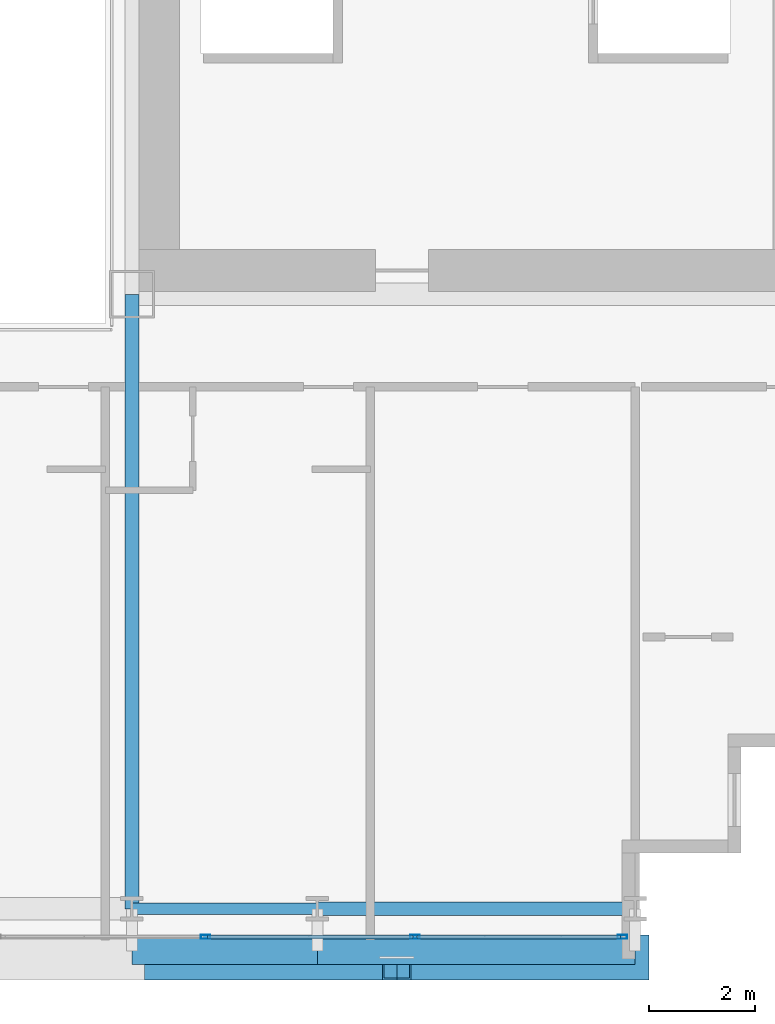
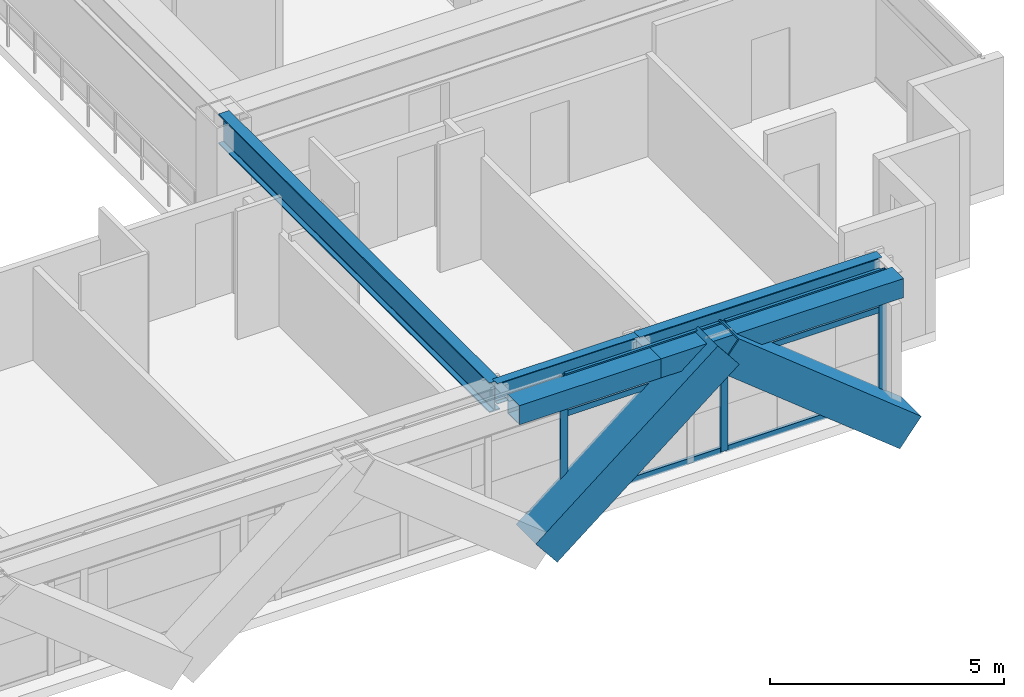
# One storey, part 10 of 35: 11 members, 5 beams, 1 element without a shape of its own.
"""IFC4 building model written with IfcOpenShell, lengths in metres."""

from ifc_helpers import new_model, si_unit, direction, frame, origin, origin_2d, place, context, subcontext, project, spatial, hollow_rectangle, i_section, extrude, source, transform, mapped, material, layer, layer_set, material_profile, profile_set, type_object, element, aggregate, save


model = new_model("IFC4")

# Units and contexts
model_context = context("Model", 3, precision=1e-05, world=origin(), true_north=direction((0.0, 1.0)))
body_context = subcontext(model_context, "Body", "Model", "MODEL_VIEW")
ifc_project = project(units=[si_unit("LENGTHUNIT", "METRE"), si_unit("AREAUNIT", "SQUARE_METRE"), si_unit("VOLUMEUNIT", "CUBIC_METRE"), si_unit("PLANEANGLEUNIT", "RADIAN"), si_unit("MASSUNIT", "GRAM", prefix="KILO")], contexts=[model_context])

# Site, building, storey
site_placement = place(None, origin())
site = spatial("IfcSite", under=ifc_project, at=site_placement, CompositionType="ELEMENT")
building_placement = place(site_placement, origin())
building = spatial("IfcBuilding", under=site, at=building_placement, Name="Ocotamira Hotel", CompositionType="ELEMENT")
storey_placement = place(building_placement, frame((0.0, 0.0, 70.800048828125)))
storey = spatial("IfcBuildingStorey", under=building, at=storey_placement, Name="L17", CompositionType="ELEMENT", Elevation=70.800048828125)

# Beams
ifc_material_1 = material(Name="Steel ASTM A992 Grade 50", Category="steel")
ifc_material_profile_1 = material_profile(ifc_material_1, i_section(OverallWidth=0.256103515625, OverallDepth=0.693115234375, WebThickness=0.014404296875, FlangeThickness=0.023681640625, FilletRadius=0.01611328125, at=origin_2d()), Name="W27X114")
ifc_profile_set_1 = profile_set([ifc_material_profile_1], Name="Steel ASTM A992 Grade 50")
beam_type_1 = type_object("IfcBeamType", Name="BM-PRIM-W27X114", PredefinedType="BEAM", material=ifc_profile_set_1)
shared_shape_1 = source(origin(), body_context, "Body", "SweptSolid", [
    extrude(i_section(OverallWidth=0.256103515625, OverallDepth=0.693115234375, WebThickness=0.014404296875, FlangeThickness=0.023681640625, FilletRadius=0.01611328125, at=origin_2d()), origin(), (0.0, 0.0, 1.0), 6.0),
])
beam_1_placement = place(storey_placement, frame((44.0, 2.949951171875, 3.00341796875), z_axis=(1.0, 0.0, 0.0), x_axis=(0.0, 1.0, 0.0)))
element("IfcBeam", 1, at=beam_1_placement, inside=storey, type_object=beam_type_1, Name="L17 Girder Y2.95 X44-50", PredefinedType="BEAM", context=body_context, shape_type="MappedRepresentation", body=[
    mapped(shared_shape_1, transform((0.0, 0.0, 0.0), scale=1.0)),
])
ifc_material_profile_2 = material_profile(ifc_material_1, i_section(OverallWidth=0.2099609375, OverallDepth=0.537109375, WebThickness=0.010986328125, FlangeThickness=0.017333984375, FilletRadius=0.012939453125, at=origin_2d()), Name="W21X68")
ifc_profile_set_2 = profile_set([ifc_material_profile_2], Name="Steel ASTM A992 Grade 50")
beam_type_2 = type_object("IfcBeamType", Name="BM-SEC-W21X68", PredefinedType="JOIST", material=ifc_profile_set_2)
shared_shape_2 = source(origin(), body_context, "Body", "SweptSolid", [
    extrude(i_section(OverallWidth=0.2099609375, OverallDepth=0.537109375, WebThickness=0.010986328125, FlangeThickness=0.017333984375, FilletRadius=0.012939453125, at=origin_2d()), origin(), (0.0, 0.0, 1.0), 3.5),
])
beam_2_placement = place(storey_placement, frame((40.5, 2.949951171875, 3.08154296875), z_axis=(1.0, 0.0, 0.0), x_axis=(0.0, 1.0, 0.0)))
element("IfcBeam", 2, at=beam_2_placement, inside=storey, type_object=beam_type_2, Name="L17 Girder Y2.95 X40.5-44", PredefinedType="JOIST", context=body_context, shape_type="MappedRepresentation", body=[
    mapped(shared_shape_2, transform((0.0, 0.0, 0.0), scale=1.0)),
])
ifc_material_profile_3 = material_profile(ifc_material_1, i_section(OverallWidth=0.26611328125, OverallDepth=0.779052734375, WebThickness=0.0166015625, FlangeThickness=0.030029296875, FilletRadius=0.01806640625, at=origin_2d()), Name="W30X148")
ifc_profile_set_3 = profile_set([ifc_material_profile_3], Name="Steel ASTM A992 Grade 50")
beam_type_3 = type_object("IfcBeamType", Name="BM-GIRD-W30X148", PredefinedType="BEAM", material=ifc_profile_set_3)
shared_shape_3 = source(origin(), body_context, "Body", "SweptSolid", [
    extrude(i_section(OverallWidth=0.26611328125, OverallDepth=0.779052734375, WebThickness=0.0166015625, FlangeThickness=0.030029296875, FilletRadius=0.01806640625, at=origin_2d()), origin(), (0.0, 0.0, 1.0), 11.60009765625),
])
beam_3_placement = place(storey_placement, frame((40.5, 2.949951171875, 2.96044921875), z_axis=(0.0, 1.0, 0.0), x_axis=(-1.0, 0.0, 0.0)))
element("IfcBeam", 3, at=beam_3_placement, inside=storey, type_object=beam_type_3, Name="L17 Beam X40.5 Y2.95-14.55", PredefinedType="BEAM", context=body_context, shape_type="MappedRepresentation", body=[
    mapped(shared_shape_3, transform((0.0, 0.0, 0.0), scale=1.0)),
])
ifc_material_2 = material(Name="Steel ASTM A500 Grade C", Category="steel")
ifc_material_profile_4 = material_profile(ifc_material_2, hollow_rectangle(XDim=0.5, YDim=0.5, WallThickness=0.02001953125, at=origin_2d()), Name="HSS500X500X20")
ifc_profile_set_4 = profile_set([ifc_material_profile_4], Name="Steel ASTM A500 Grade C")
beam_type_4 = type_object("IfcBeamType", Name="BM-SPAN-HSS500", PredefinedType="USERDEFINED", material=ifc_profile_set_4)
shared_shape_4 = source(origin(), body_context, "Body", "SweptSolid", [
    extrude(hollow_rectangle(XDim=0.5, YDim=0.5, WallThickness=0.02001953125, at=origin_2d()), origin(), (0.0, 0.0, 1.0), 6.0),
])
beam_4_placement = place(storey_placement, frame((44.0, 2.14990234375, 3.099853515625), z_axis=(1.0, 0.0, 0.0), x_axis=(0.0, 1.0, 0.0)))
element("IfcBeam", 4, at=beam_4_placement, inside=storey, type_object=beam_type_4, Name="L17 Edge Spandrel S X44-50", ObjectType="SPANDREL", PredefinedType="USERDEFINED", context=body_context, shape_type="MappedRepresentation", body=[
    mapped(shared_shape_4, transform((0.0, 0.0, 0.0), scale=1.0)),
])
shared_shape_5 = source(origin(), body_context, "Body", "SweptSolid", [
    extrude(hollow_rectangle(XDim=0.5, YDim=0.5, WallThickness=0.02001953125, at=origin_2d()), origin(), (0.0, 0.0, 1.0), 3.5),
])
beam_5_placement = place(storey_placement, frame((40.5, 2.14990234375, 3.099853515625), z_axis=(1.0, 0.0, 0.0), x_axis=(0.0, 1.0, 0.0)))
element("IfcBeam", 5, at=beam_5_placement, inside=storey, type_object=beam_type_4, Name="L17 Edge Spandrel S X40.5-44", ObjectType="SPANDREL", PredefinedType="USERDEFINED", context=body_context, shape_type="MappedRepresentation", body=[
    mapped(shared_shape_5, transform((0.0, 0.0, 0.0), scale=1.0)),
])

# Members
ifc_material_3 = material(Name="Pale-metal coated steel ASTM A913 Grade 65", Category="steel")
ifc_material_profile_5 = material_profile(ifc_material_3, hollow_rectangle(XDim=0.85009765625, YDim=0.85009765625, WallThickness=0.035888671875, at=origin_2d()), Name="BOX850X850X36")
ifc_profile_set_5 = profile_set([ifc_material_profile_5], Name="Pale-metal coated steel ASTM A913 Grade 65")
member_type_1 = type_object("IfcMemberType", Name="MEM-EXO-BOX850", PredefinedType="BRACE", material=ifc_profile_set_5)
shared_shape_6 = source(origin(), body_context, "Body", "SweptSolid", [
    extrude(hollow_rectangle(XDim=0.85009765625, YDim=0.85009765625, WallThickness=0.035888671875, at=origin_2d()), origin(), (0.0, 0.0, 1.0), 5.7626953125),
])
for number, where, z_axis, x_axis, name in (
    (6, (41.0, 2.030029296875, -0.5), (0.780881208953, 0.0, 0.624679547852), (0.0, 1.0, 0.0), "L17 Exoskeleton Diagrid S3.1"),
    (7, (50.0, 2.030029296875, -0.5), (-0.780881208953, 0.0, 0.624679547852), (0.0, -1.0, 0.0), "L17 Exoskeleton Diagrid S3.2"),
):
    element("IfcMember", number, at=place(storey_placement, frame(where, z_axis=z_axis, x_axis=x_axis)), inside=storey, type_object=member_type_1, Name=name, PredefinedType="BRACE", context=body_context, shape_type="MappedRepresentation", body=[
        mapped(shared_shape_6, transform((0.0, 0.0, 0.0), scale=1.0)),
    ])

# Curtain wall, members
ifc_material_4 = material(Name="Anodised pale-metal aluminium and solar glass", Category="aluminium")
ifc_layer = layer(ifc_material_4, 0.179931640625)
ifc_layer_set = layer_set([ifc_layer], Name="Anodised pale-metal aluminium and solar glass")
curtain_wall_type = type_object("IfcCurtainWallType", Name="CW-SYS2-Z1", PredefinedType="NOTDEFINED", material=ifc_layer_set)
curtain_wall_placement = place(storey_placement, origin())
curtain_wall = element("IfcCurtainWall", 8, at=curtain_wall_placement, inside=storey, type_object=curtain_wall_type, Name="L17 Curtain Wall CW-2 CW-L17-S1", PredefinedType="NOTDEFINED")
ifc_material_5 = material(Name="Anodised pale-metal aluminium 6063-T6", Category="aluminium")
ifc_material_profile_6 = material_profile(ifc_material_5, hollow_rectangle(XDim=0.080078125, YDim=0.179931640625, WallThickness=0.006103515625, at=origin_2d()), Name="HSS180X80X6")
ifc_profile_set_6 = profile_set([ifc_material_profile_6], Name="Anodised pale-metal aluminium 6063-T6")
member_type_2 = type_object("IfcMemberType", Name="CWM-180X75", PredefinedType="MULLION", material=ifc_profile_set_6)
shared_shape_7 = source(origin(), body_context, "Body", "SweptSolid", [
    extrude(hollow_rectangle(XDim=0.080078125, YDim=0.179931640625, WallThickness=0.006103515625, at=origin_2d()), origin(), (0.0, 0.0, 1.0), 3.349853515625),
])
member_1_placement = place(storey_placement, frame((41.888916015625, 2.419921875, 0.0), z_axis=(0.0, 0.0, 1.0), x_axis=(0.0, 1.0, 0.0)))
member_1 = element("IfcMember", 9, at=member_1_placement, type_object=member_type_2, Name="CW-2 mullion 8", PredefinedType="MULLION", context=body_context, shape_type="MappedRepresentation", body=[
    mapped(shared_shape_7, transform((0.0, 0.0, 0.0), scale=1.0)),
])
member_2_placement = place(storey_placement, frame((45.844482421875, 2.419921875, 0.0), z_axis=(0.0, 0.0, 1.0), x_axis=(0.0, 1.0, 0.0)))
member_2 = element("IfcMember", 10, at=member_2_placement, type_object=member_type_2, Name="CW-2 mullion 9", PredefinedType="MULLION", context=body_context, shape_type="MappedRepresentation", body=[
    mapped(shared_shape_7, transform((0.0, 0.0, 0.0), scale=1.0)),
])
member_3_placement = place(storey_placement, frame((49.760009765625, 2.419921875, 0.0), z_axis=(0.0, 0.0, 1.0), x_axis=(0.0, 1.0, 0.0)))
member_3 = element("IfcMember", 11, at=member_3_placement, type_object=member_type_2, Name="CW-2 mullion 10", PredefinedType="MULLION", context=body_context, shape_type="MappedRepresentation", body=[
    mapped(shared_shape_7, transform((0.0, 0.0, 0.0), scale=1.0)),
])
ifc_material_profile_7 = material_profile(ifc_material_5, hollow_rectangle(XDim=0.074951171875, YDim=0.14990234375, WallThickness=0.006103515625, at=origin_2d()), Name="HSS150X75X6")
ifc_profile_set_7 = profile_set([ifc_material_profile_7], Name="Anodised pale-metal aluminium 6063-T6")
member_type_3 = type_object("IfcMemberType", Name="CWT-150X75", PredefinedType="USERDEFINED", material=ifc_profile_set_7)
shared_shape_8 = source(origin(), body_context, "Body", "SweptSolid", [
    extrude(hollow_rectangle(XDim=0.074951171875, YDim=0.14990234375, WallThickness=0.006103515625, at=origin_2d()), origin(), (0.0, 0.0, 1.0), 3.83544921875),
])
member_4_placement = place(storey_placement, frame((45.884521484375, 2.419921875, 0.037353515625), z_axis=(1.0, 0.0, 0.0), x_axis=(0.0, 1.0, 0.0)))
member_4 = element("IfcMember", 12, at=member_4_placement, type_object=member_type_3, Name="CW-2 transom 9.1", ObjectType="TRANSOM", PredefinedType="USERDEFINED", context=body_context, shape_type="MappedRepresentation", body=[
    mapped(shared_shape_8, transform((0.0, 0.0, 0.0), scale=1.0)),
])
member_5_placement = place(storey_placement, frame((45.884521484375, 2.419921875, 2.349853515625), z_axis=(1.0, 0.0, 0.0), x_axis=(0.0, 1.0, 0.0)))
member_5 = element("IfcMember", 13, at=member_5_placement, type_object=member_type_3, Name="CW-2 transom 9.2", ObjectType="TRANSOM", PredefinedType="USERDEFINED", context=body_context, shape_type="MappedRepresentation", body=[
    mapped(shared_shape_8, transform((0.0, 0.0, 0.0), scale=1.0)),
])
member_6_placement = place(storey_placement, frame((45.884521484375, 2.419921875, 3.3125), z_axis=(1.0, 0.0, 0.0), x_axis=(0.0, 1.0, 0.0)))
member_6 = element("IfcMember", 14, at=member_6_placement, type_object=member_type_3, Name="CW-2 transom 9.3", ObjectType="TRANSOM", PredefinedType="USERDEFINED", context=body_context, shape_type="MappedRepresentation", body=[
    mapped(shared_shape_8, transform((0.0, 0.0, 0.0), scale=1.0)),
])
shared_shape_9 = source(origin(), body_context, "Body", "SweptSolid", [
    extrude(hollow_rectangle(XDim=0.074951171875, YDim=0.14990234375, WallThickness=0.006103515625, at=origin_2d()), origin(), (0.0, 0.0, 1.0), 3.87548828125),
])
member_7_placement = place(storey_placement, frame((41.928955078125, 2.419921875, 0.037353515625), z_axis=(1.0, 0.0, 0.0), x_axis=(0.0, 1.0, 0.0)))
member_7 = element("IfcMember", 15, at=member_7_placement, type_object=member_type_3, Name="CW-2 transom 8.1", ObjectType="TRANSOM", PredefinedType="USERDEFINED", context=body_context, shape_type="MappedRepresentation", body=[
    mapped(shared_shape_9, transform((0.0, 0.0, 0.0), scale=1.0)),
])
member_8_placement = place(storey_placement, frame((41.928955078125, 2.419921875, 2.349853515625), z_axis=(1.0, 0.0, 0.0), x_axis=(0.0, 1.0, 0.0)))
member_8 = element("IfcMember", 16, at=member_8_placement, type_object=member_type_3, Name="CW-2 transom 8.2", ObjectType="TRANSOM", PredefinedType="USERDEFINED", context=body_context, shape_type="MappedRepresentation", body=[
    mapped(shared_shape_9, transform((0.0, 0.0, 0.0), scale=1.0)),
])
member_9_placement = place(storey_placement, frame((41.928955078125, 2.419921875, 3.3125), z_axis=(1.0, 0.0, 0.0), x_axis=(0.0, 1.0, 0.0)))
member_9 = element("IfcMember", 17, at=member_9_placement, type_object=member_type_3, Name="CW-2 transom 8.3", ObjectType="TRANSOM", PredefinedType="USERDEFINED", context=body_context, shape_type="MappedRepresentation", body=[
    mapped(shared_shape_9, transform((0.0, 0.0, 0.0), scale=1.0)),
])
aggregate(curtain_wall, [member_1, member_2, member_3, member_7, member_8, member_9, member_4, member_5, member_6])

save(model, "model.ifc")
